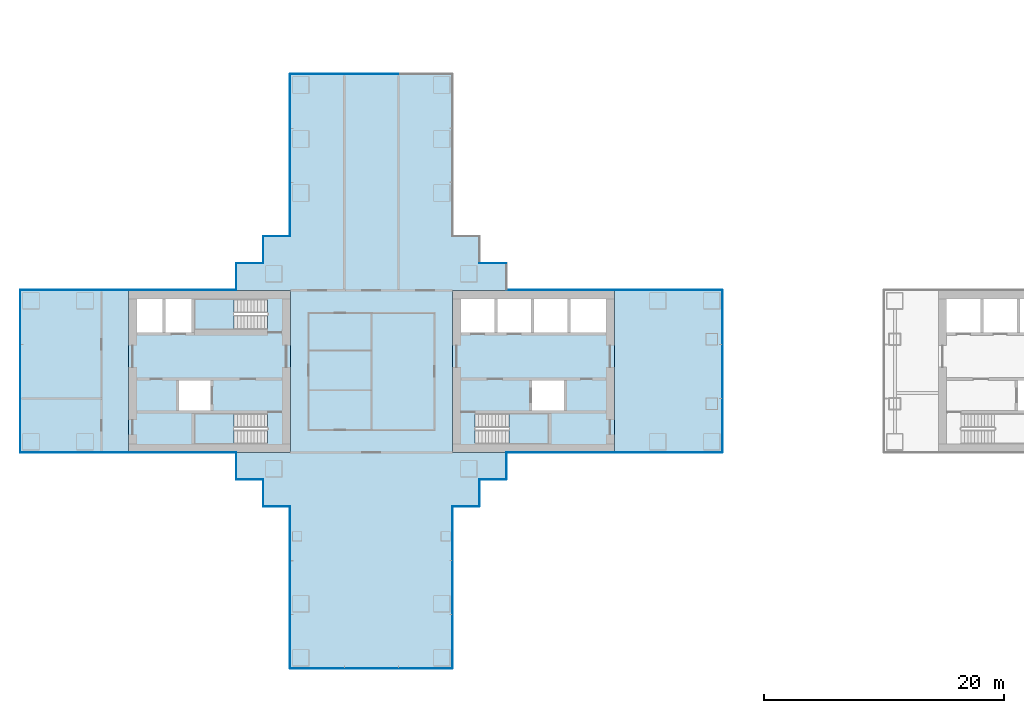
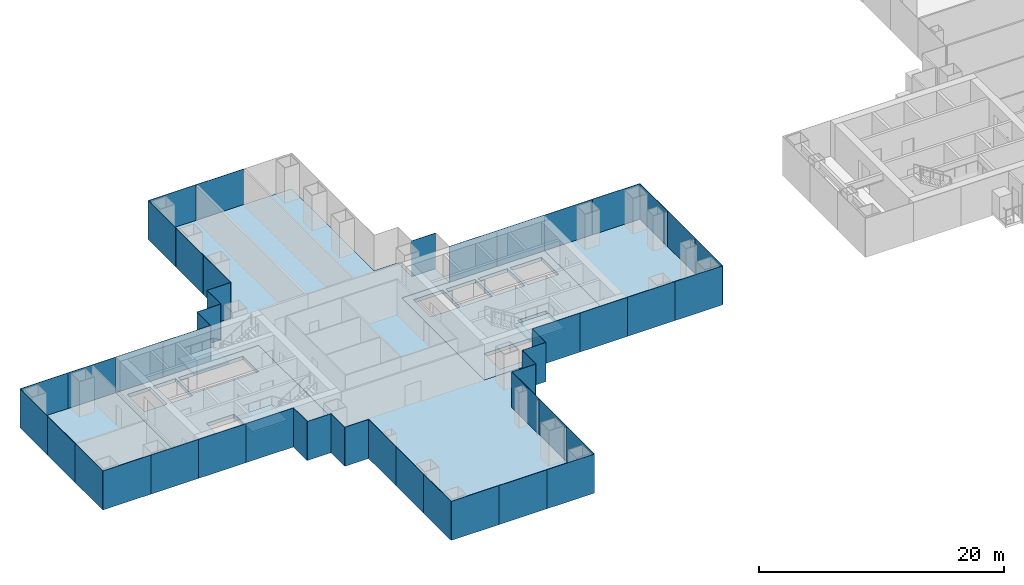
# One storey, part 10 of 21: 49 plates, 8 slabs, 22 elements without a shape of their own.
"""IFC4 building model written with IfcOpenShell, lengths in metres."""

from ifc_helpers import new_model, si_unit, direction, frame, origin, origin_2d, place, context, subcontext, project, spatial, polyline, rectangle, outline, extrude, material, layer, layer_set, type_object, element, aggregate, save


model = new_model("IFC4")

# Units and contexts
model_context = context("Model", 3, precision=1e-05, world=origin(), true_north=direction((0.0, 1.0)))
body_context = subcontext(model_context, "Body", "Model", "MODEL_VIEW")
ifc_project = project(units=[si_unit("LENGTHUNIT", "METRE"), si_unit("AREAUNIT", "SQUARE_METRE"), si_unit("VOLUMEUNIT", "CUBIC_METRE"), si_unit("PLANEANGLEUNIT", "RADIAN"), si_unit("MASSUNIT", "GRAM", prefix="KILO")], contexts=[model_context])

# Site, building, storey
site_placement = place(None, origin())
site = spatial("IfcSite", under=ifc_project, at=site_placement, CompositionType="ELEMENT")
building_placement = place(site_placement, origin())
building = spatial("IfcBuilding", under=site, at=building_placement, Name="Shamsa Quay Exchange Towers", CompositionType="ELEMENT")
storey_placement = place(building_placement, frame((0.0, 0.0, 49.800048828125)))
storey = spatial("IfcBuildingStorey", under=building, at=storey_placement, Name="L10", CompositionType="ELEMENT", Elevation=49.800048828125)

# Slabs
ifc_material_1 = material(Name="Concrete C50/60", Category="concrete")
ifc_layer_1 = layer(ifc_material_1, 0.35009765625)
ifc_layer_set_1 = layer_set([ifc_layer_1], Name="CORE FLOOR 350 C50/60")
slab_type_1 = type_object("IfcSlabType", Name="CORE FLOOR 350 C50/60", PredefinedType="FLOOR", material=ifc_layer_set_1)
slab_1_placement = place(storey_placement, frame((0.0, 0.0, -0.35009765625)))
element("IfcSlab", 1, at=slab_1_placement, inside=storey, type_object=slab_type_1, Name="Core floor T1A", PredefinedType="FLOOR", context=body_context, shape_type="SweptSolid", body=[
    extrude(outline(polyline([(-27.0, -6.75), (-13.5, -6.75), (-13.5, 6.75), (-27.0, 6.75), (-27.0, -6.75)]), holes=[polyline([(-25.099365234375, -6.050048828125), (-25.099365234375, -3.5), (-19.0, -3.5), (-19.0, -6.050048828125), (-25.099365234375, -6.050048828125)]), polyline([(-26.300048828125, 3.25), (-26.300048828125, 6.050048828125), (-23.5, 6.050048828125), (-23.5, 3.25), (-26.300048828125, 3.25)]), polyline([(-23.25, 3.25), (-23.25, 6.050048828125), (-20.449951171875, 6.050048828125), (-20.449951171875, 3.25), (-23.25, 3.25)]), polyline([(-20.199951171875, 3.25), (-20.199951171875, 6.050048828125), (-17.39990234375, 6.050048828125), (-17.39990234375, 3.25), (-20.199951171875, 3.25)]), polyline([(-17.14990234375, 3.25), (-17.14990234375, 6.050048828125), (-14.199951171875, 6.050048828125), (-14.199951171875, 3.25), (-17.14990234375, 3.25)]), polyline([(-20.35009765625, -3.25), (-20.35009765625, -0.75), (-17.699951171875, -0.75), (-17.699951171875, -3.25), (-20.35009765625, -3.25)])]), origin(), (0.0, 0.0, 1.0), 0.35009765625),
])
slab_2_placement = place(storey_placement, frame((0.0, 0.0, -0.35009765625)))
element("IfcSlab", 2, at=slab_2_placement, inside=storey, type_object=slab_type_1, Name="Core floor T1B", PredefinedType="FLOOR", context=body_context, shape_type="SweptSolid", body=[
    extrude(outline(polyline([(-40.5, -6.75), (-40.5, 6.75), (-54.0, 6.75), (-54.0, -6.75), (-40.5, -6.75)]), holes=[polyline([(-42.400634765625, -3.5), (-42.400634765625, -6.050048828125), (-48.5, -6.050048828125), (-48.5, -3.5), (-42.400634765625, -3.5)]), polyline([(-42.400634765625, 6.050048828125), (-42.400634765625, 3.5), (-48.5, 3.5), (-48.5, 6.050048828125), (-42.400634765625, 6.050048828125)]), polyline([(-48.75, 3.25), (-50.89990234375, 3.25), (-50.89990234375, 6.050048828125), (-48.75, 6.050048828125), (-48.75, 3.25)]), polyline([(-51.14990234375, 3.25), (-53.300048828125, 3.25), (-53.300048828125, 6.050048828125), (-51.14990234375, 6.050048828125), (-51.14990234375, 3.25)]), polyline([(-47.14990234375, -3.25), (-49.800048828125, -3.25), (-49.800048828125, -0.75), (-47.14990234375, -0.75), (-47.14990234375, -3.25)])]), origin(), (0.0, 0.0, 1.0), 0.35009765625),
])

# Stair, slab
ifc_material_2 = material(Name="Concrete C40/50", Category="concrete")
stair_type = type_object("IfcStairType", Name="EXIT STAIR 22 RISERS 177 MM", PredefinedType="HALF_TURN_STAIR", material=ifc_material_2)
stair_1_placement = place(storey_placement, origin())
stair_1 = element("IfcStair", 3, at=stair_1_placement, inside=storey, type_object=stair_type, Name="L10 Exit stair ST1", PredefinedType="HALF_TURN_STAIR")
ifc_layer_2 = layer(ifc_material_2, 0.199951171875)
ifc_layer_set_2 = layer_set([ifc_layer_2], Name="CORE STAIR LANDING")
slab_type_2 = type_object("IfcSlabType", Name="CORE STAIR LANDING", PredefinedType="LANDING", material=ifc_layer_set_2)
slab_3_placement = place(storey_placement, frame((0.0, 0.0, 1.75)))
slab_3 = element("IfcSlab", 4, at=slab_3_placement, type_object=slab_type_2, Name="ST1 landing 1", PredefinedType="LANDING", context=body_context, shape_type="SweptSolid", body=[
    extrude(outline(polyline([(-22.300048828125, -6.050048828125), (-19.0, -6.050048828125), (-19.0, -3.5), (-22.300048828125, -3.5), (-22.300048828125, -6.050048828125)])), origin(), (0.0, 0.0, 1.0), 0.199951171875),
])
aggregate(stair_1, [slab_3])

stair_2_placement = place(storey_placement, origin())
stair_2 = element("IfcStair", 5, at=stair_2_placement, inside=storey, type_object=stair_type, Name="L10 Exit stair ST2", PredefinedType="HALF_TURN_STAIR")
slab_4_placement = place(storey_placement, frame((0.0, 0.0, 1.75)))
slab_4 = element("IfcSlab", 6, at=slab_4_placement, type_object=slab_type_2, Name="ST2 landing 1", PredefinedType="LANDING", context=body_context, shape_type="SweptSolid", body=[
    extrude(outline(polyline([(-45.199951171875, -3.5), (-48.5, -3.5), (-48.5, -6.050048828125), (-45.199951171875, -6.050048828125), (-45.199951171875, -3.5)])), origin(), (0.0, 0.0, 1.0), 0.199951171875),
])
aggregate(stair_2, [slab_4])

stair_3_placement = place(storey_placement, origin())
stair_3 = element("IfcStair", 7, at=stair_3_placement, inside=storey, type_object=stair_type, Name="L10 Exit stair ST3", PredefinedType="HALF_TURN_STAIR")
slab_5_placement = place(storey_placement, frame((0.0, 0.0, 1.75)))
slab_5 = element("IfcSlab", 8, at=slab_5_placement, type_object=slab_type_2, Name="ST3 landing 1", PredefinedType="LANDING", context=body_context, shape_type="SweptSolid", body=[
    extrude(outline(polyline([(-45.199951171875, 6.050048828125), (-48.5, 6.050048828125), (-48.5, 3.5), (-45.199951171875, 3.5), (-45.199951171875, 6.050048828125)])), origin(), (0.0, 0.0, 1.0), 0.199951171875),
])
aggregate(stair_3, [slab_5])

# Curtain wall, plates
ifc_material_3 = material(Name="Aluminium EN AW-6063 T6, black anodised", Category="aluminium")
ifc_layer_3 = layer(ifc_material_3, 0.280029296875)
ifc_layer_set_3 = layer_set([ifc_layer_3], Name="CW-1 UNITISED VISION GLASS")
curtain_wall_type_1 = type_object("IfcCurtainWallType", Name="CW-1 UNITISED VISION GLASS", PredefinedType="NOTDEFINED", material=ifc_layer_set_3)
curtain_wall_1_placement = place(storey_placement, origin())
curtain_wall_1 = element("IfcCurtainWall", 9, at=curtain_wall_1_placement, inside=storey, type_object=curtain_wall_type_1, Name="CW1 T1-FLK-V-W L10", PredefinedType="NOTDEFINED")
ifc_material_4 = material(Name="Glass, laminated, dark tinted", Category="glass")
ifc_layer_4 = layer(ifc_material_4, 0.0400390625)
ifc_layer_set_4 = layer_set([ifc_layer_4], Name="CW-1 VISION GLASS 40")
plate_type_1 = type_object("IfcPlateType", Name="CW-1 VISION GLASS 40", PredefinedType="CURTAIN_PANEL", material=ifc_layer_set_4)
plate_1_placement = place(storey_placement, frame((-40.52001953125, -13.529052734375, -0.35009765625), z_axis=(0.0, 0.0, 1.0), x_axis=(0.0, -1.0, 0.0)))
plate_1 = element("IfcPlate", 10, at=plate_1_placement, type_object=plate_type_1, Name="CW1 glass panel", PredefinedType="CURTAIN_PANEL", context=body_context, shape_type="SweptSolid", body=[
    extrude(rectangle(XDim=4.482421875, YDim=0.0400390625, at=origin_2d()), origin(), (0.0, 0.0, 1.0), 3.89990234375),
])
plate_2_placement = place(storey_placement, frame((-40.52001953125, -18.01904296875, -0.35009765625), z_axis=(0.0, 0.0, 1.0), x_axis=(0.0, -1.0, 0.0)))
plate_2 = element("IfcPlate", 11, at=plate_2_placement, type_object=plate_type_1, Name="CW1 glass panel", PredefinedType="CURTAIN_PANEL", context=body_context, shape_type="SweptSolid", body=[
    extrude(rectangle(XDim=4.477294921875, YDim=0.0400390625, at=origin_2d()), origin(), (0.0, 0.0, 1.0), 3.89990234375),
])
plate_3_placement = place(storey_placement, frame((-40.52001953125, -22.5087890625, -0.35009765625), z_axis=(0.0, 0.0, 1.0), x_axis=(0.0, -1.0, 0.0)))
plate_3 = element("IfcPlate", 12, at=plate_3_placement, type_object=plate_type_1, Name="CW1 glass panel", PredefinedType="CURTAIN_PANEL", context=body_context, shape_type="SweptSolid", body=[
    extrude(rectangle(XDim=4.482421875, YDim=0.0400390625, at=origin_2d()), origin(), (0.0, 0.0, 1.0), 3.89990234375),
])
aggregate(curtain_wall_1, [plate_1, plate_2, plate_3])

curtain_wall_2_placement = place(storey_placement, origin())
curtain_wall_2 = element("IfcCurtainWall", 13, at=curtain_wall_2_placement, inside=storey, type_object=curtain_wall_type_1, Name="CW1 T1-END-V- L10", PredefinedType="NOTDEFINED")
plate_4_placement = place(storey_placement, frame((-38.25244140625, -24.77001953125, -0.35009765625)))
plate_4 = element("IfcPlate", 14, at=plate_4_placement, type_object=plate_type_1, Name="CW1 glass panel", PredefinedType="CURTAIN_PANEL", context=body_context, shape_type="SweptSolid", body=[
    extrude(rectangle(XDim=4.4951171875, YDim=0.0400390625, at=origin_2d()), origin(), (0.0, 0.0, 1.0), 3.89990234375),
])
plate_5_placement = place(storey_placement, frame((-33.75, -24.77001953125, -0.35009765625)))
plate_5 = element("IfcPlate", 15, at=plate_5_placement, type_object=plate_type_1, Name="CW1 glass panel", PredefinedType="CURTAIN_PANEL", context=body_context, shape_type="SweptSolid", body=[
    extrude(rectangle(XDim=4.489990234375, YDim=0.0400390625, at=origin_2d()), origin(), (0.0, 0.0, 1.0), 3.89990234375),
])
plate_6_placement = place(storey_placement, frame((-29.24755859375, -24.77001953125, -0.35009765625)))
plate_6 = element("IfcPlate", 16, at=plate_6_placement, type_object=plate_type_1, Name="CW1 glass panel", PredefinedType="CURTAIN_PANEL", context=body_context, shape_type="SweptSolid", body=[
    extrude(rectangle(XDim=4.4951171875, YDim=0.0400390625, at=origin_2d()), origin(), (0.0, 0.0, 1.0), 3.89990234375),
])
aggregate(curtain_wall_2, [plate_4, plate_5, plate_6])

curtain_wall_3_placement = place(storey_placement, origin())
curtain_wall_3 = element("IfcCurtainWall", 17, at=curtain_wall_3_placement, inside=storey, type_object=curtain_wall_type_1, Name="CW1 T1-FLK-V-E L10", PredefinedType="NOTDEFINED")
plate_7_placement = place(storey_placement, frame((-26.97998046875, -22.50244140625, -0.35009765625), z_axis=(0.0, 0.0, 1.0), x_axis=(0.0, 1.0, 0.0)))
plate_7 = element("IfcPlate", 18, at=plate_7_placement, type_object=plate_type_1, Name="CW1 glass panel", PredefinedType="CURTAIN_PANEL", context=body_context, shape_type="SweptSolid", body=[
    extrude(rectangle(XDim=4.4951171875, YDim=0.0400390625, at=origin_2d()), origin(), (0.0, 0.0, 1.0), 3.89990234375),
])
plate_8_placement = place(storey_placement, frame((-26.97998046875, -18.0, -0.35009765625), z_axis=(0.0, 0.0, 1.0), x_axis=(0.0, 1.0, 0.0)))
plate_8 = element("IfcPlate", 19, at=plate_8_placement, type_object=plate_type_1, Name="CW1 glass panel", PredefinedType="CURTAIN_PANEL", context=body_context, shape_type="SweptSolid", body=[
    extrude(rectangle(XDim=4.489990234375, YDim=0.0400390625, at=origin_2d()), origin(), (0.0, 0.0, 1.0), 3.89990234375),
])
plate_9_placement = place(storey_placement, frame((-26.97998046875, -13.49755859375, -0.35009765625), z_axis=(0.0, 0.0, 1.0), x_axis=(0.0, 1.0, 0.0)))
plate_9 = element("IfcPlate", 20, at=plate_9_placement, type_object=plate_type_1, Name="CW1 glass panel", PredefinedType="CURTAIN_PANEL", context=body_context, shape_type="SweptSolid", body=[
    extrude(rectangle(XDim=4.4951171875, YDim=0.0400390625, at=origin_2d()), origin(), (0.0, 0.0, 1.0), 3.89990234375),
])
aggregate(curtain_wall_3, [plate_7, plate_8, plate_9])

curtain_wall_4_placement = place(storey_placement, origin())
curtain_wall_4 = element("IfcCurtainWall", 21, at=curtain_wall_4_placement, inside=storey, type_object=curtain_wall_type_1, Name="CW1 T1-FLK-U+S L10", PredefinedType="NOTDEFINED")
plate_10_placement = place(storey_placement, frame((-11.25244140625, -6.77001953125, -0.35009765625)))
plate_10 = element("IfcPlate", 22, at=plate_10_placement, type_object=plate_type_1, Name="CW1 glass panel", PredefinedType="CURTAIN_PANEL", context=body_context, shape_type="SweptSolid", body=[
    extrude(rectangle(XDim=4.4951171875, YDim=0.0400390625, at=origin_2d()), origin(), (0.0, 0.0, 1.0), 3.89990234375),
])
plate_11_placement = place(storey_placement, frame((-6.74755859375, -6.77001953125, -0.35009765625)))
plate_11 = element("IfcPlate", 23, at=plate_11_placement, type_object=plate_type_1, Name="CW1 glass panel", PredefinedType="CURTAIN_PANEL", context=body_context, shape_type="SweptSolid", body=[
    extrude(rectangle(XDim=4.4951171875, YDim=0.0400390625, at=origin_2d()), origin(), (0.0, 0.0, 1.0), 3.89990234375),
])
aggregate(curtain_wall_4, [plate_10, plate_11])

curtain_wall_5_placement = place(storey_placement, origin())
curtain_wall_5 = element("IfcCurtainWall", 24, at=curtain_wall_5_placement, inside=storey, type_object=curtain_wall_type_1, Name="CW1 T1-END-U+ L10", PredefinedType="NOTDEFINED")
plate_12_placement = place(storey_placement, frame((-4.47998046875, -4.50244140625, -0.35009765625), z_axis=(0.0, 0.0, 1.0), x_axis=(0.0, 1.0, 0.0)))
plate_12 = element("IfcPlate", 25, at=plate_12_placement, type_object=plate_type_1, Name="CW1 glass panel", PredefinedType="CURTAIN_PANEL", context=body_context, shape_type="SweptSolid", body=[
    extrude(rectangle(XDim=4.4951171875, YDim=0.0400390625, at=origin_2d()), origin(), (0.0, 0.0, 1.0), 3.89990234375),
])
plate_13_placement = place(storey_placement, frame((-4.47998046875, 0.0, -0.35009765625), z_axis=(0.0, 0.0, 1.0), x_axis=(0.0, 1.0, 0.0)))
plate_13 = element("IfcPlate", 26, at=plate_13_placement, type_object=plate_type_1, Name="CW1 glass panel", PredefinedType="CURTAIN_PANEL", context=body_context, shape_type="SweptSolid", body=[
    extrude(rectangle(XDim=4.489990234375, YDim=0.0400390625, at=origin_2d()), origin(), (0.0, 0.0, 1.0), 3.89990234375),
])
plate_14_placement = place(storey_placement, frame((-4.47998046875, 4.50244140625, -0.35009765625), z_axis=(0.0, 0.0, 1.0), x_axis=(0.0, 1.0, 0.0)))
plate_14 = element("IfcPlate", 27, at=plate_14_placement, type_object=plate_type_1, Name="CW1 glass panel", PredefinedType="CURTAIN_PANEL", context=body_context, shape_type="SweptSolid", body=[
    extrude(rectangle(XDim=4.4951171875, YDim=0.0400390625, at=origin_2d()), origin(), (0.0, 0.0, 1.0), 3.89990234375),
])
aggregate(curtain_wall_5, [plate_12, plate_13, plate_14])

curtain_wall_6_placement = place(storey_placement, origin())
curtain_wall_6 = element("IfcCurtainWall", 28, at=curtain_wall_6_placement, inside=storey, type_object=curtain_wall_type_1, Name="CW1 T1-FLK-U+N L10", PredefinedType="NOTDEFINED")
plate_15_placement = place(storey_placement, frame((-6.74755859375, 6.77001953125, -0.35009765625), z_axis=(0.0, 0.0, 1.0), x_axis=(-1.0, 0.0, 0.0)))
plate_15 = element("IfcPlate", 29, at=plate_15_placement, type_object=plate_type_1, Name="CW1 glass panel", PredefinedType="CURTAIN_PANEL", context=body_context, shape_type="SweptSolid", body=[
    extrude(rectangle(XDim=4.4951171875, YDim=0.0400390625, at=origin_2d()), origin(), (0.0, 0.0, 1.0), 3.89990234375),
])
plate_16_placement = place(storey_placement, frame((-11.25244140625, 6.77001953125, -0.35009765625), z_axis=(0.0, 0.0, 1.0), x_axis=(-1.0, 0.0, 0.0)))
plate_16 = element("IfcPlate", 30, at=plate_16_placement, type_object=plate_type_1, Name="CW1 glass panel", PredefinedType="CURTAIN_PANEL", context=body_context, shape_type="SweptSolid", body=[
    extrude(rectangle(XDim=4.4951171875, YDim=0.0400390625, at=origin_2d()), origin(), (0.0, 0.0, 1.0), 3.89990234375),
])
aggregate(curtain_wall_6, [plate_15, plate_16])

curtain_wall_7_placement = place(storey_placement, origin())
curtain_wall_7 = element("IfcCurtainWall", 31, at=curtain_wall_7_placement, inside=storey, type_object=curtain_wall_type_1, Name="CW1 T1-END-V+ L10", PredefinedType="NOTDEFINED")
plate_17_placement = place(storey_placement, frame((-33.75, 24.77001953125, -0.35009765625), z_axis=(0.0, 0.0, 1.0), x_axis=(-1.0, 0.0, 0.0)))
plate_17 = element("IfcPlate", 32, at=plate_17_placement, type_object=plate_type_1, Name="CW1 glass panel", PredefinedType="CURTAIN_PANEL", context=body_context, shape_type="SweptSolid", body=[
    extrude(rectangle(XDim=4.489990234375, YDim=0.0400390625, at=origin_2d()), origin(), (0.0, 0.0, 1.0), 3.89990234375),
])
plate_18_placement = place(storey_placement, frame((-38.25244140625, 24.77001953125, -0.35009765625), z_axis=(0.0, 0.0, 1.0), x_axis=(-1.0, 0.0, 0.0)))
plate_18 = element("IfcPlate", 33, at=plate_18_placement, type_object=plate_type_1, Name="CW1 glass panel", PredefinedType="CURTAIN_PANEL", context=body_context, shape_type="SweptSolid", body=[
    extrude(rectangle(XDim=4.4951171875, YDim=0.0400390625, at=origin_2d()), origin(), (0.0, 0.0, 1.0), 3.89990234375),
])
aggregate(curtain_wall_7, [plate_17, plate_18])

curtain_wall_8_placement = place(storey_placement, origin())
curtain_wall_8 = element("IfcCurtainWall", 34, at=curtain_wall_8_placement, inside=storey, type_object=curtain_wall_type_1, Name="CW1 T1-FLK-V+W L10", PredefinedType="NOTDEFINED")
plate_19_placement = place(storey_placement, frame((-40.52001953125, 22.50244140625, -0.35009765625), z_axis=(0.0, 0.0, 1.0), x_axis=(0.0, -1.0, 0.0)))
plate_19 = element("IfcPlate", 35, at=plate_19_placement, type_object=plate_type_1, Name="CW1 glass panel", PredefinedType="CURTAIN_PANEL", context=body_context, shape_type="SweptSolid", body=[
    extrude(rectangle(XDim=4.4951171875, YDim=0.0400390625, at=origin_2d()), origin(), (0.0, 0.0, 1.0), 3.89990234375),
])
plate_20_placement = place(storey_placement, frame((-40.52001953125, 18.0, -0.35009765625), z_axis=(0.0, 0.0, 1.0), x_axis=(0.0, -1.0, 0.0)))
plate_20 = element("IfcPlate", 36, at=plate_20_placement, type_object=plate_type_1, Name="CW1 glass panel", PredefinedType="CURTAIN_PANEL", context=body_context, shape_type="SweptSolid", body=[
    extrude(rectangle(XDim=4.489990234375, YDim=0.0400390625, at=origin_2d()), origin(), (0.0, 0.0, 1.0), 3.89990234375),
])
plate_21_placement = place(storey_placement, frame((-40.52001953125, 13.49755859375, -0.35009765625), z_axis=(0.0, 0.0, 1.0), x_axis=(0.0, -1.0, 0.0)))
plate_21 = element("IfcPlate", 37, at=plate_21_placement, type_object=plate_type_1, Name="CW1 glass panel", PredefinedType="CURTAIN_PANEL", context=body_context, shape_type="SweptSolid", body=[
    extrude(rectangle(XDim=4.4951171875, YDim=0.0400390625, at=origin_2d()), origin(), (0.0, 0.0, 1.0), 3.89990234375),
])
aggregate(curtain_wall_8, [plate_19, plate_20, plate_21])

curtain_wall_9_placement = place(storey_placement, origin())
curtain_wall_9 = element("IfcCurtainWall", 38, at=curtain_wall_9_placement, inside=storey, type_object=curtain_wall_type_1, Name="CW1 T1-FLK-U-N L10", PredefinedType="NOTDEFINED")
plate_22_placement = place(storey_placement, frame((-56.24755859375, 6.77001953125, -0.35009765625), z_axis=(0.0, 0.0, 1.0), x_axis=(-1.0, 0.0, 0.0)))
plate_22 = element("IfcPlate", 39, at=plate_22_placement, type_object=plate_type_1, Name="CW1 glass panel", PredefinedType="CURTAIN_PANEL", context=body_context, shape_type="SweptSolid", body=[
    extrude(rectangle(XDim=4.4951171875, YDim=0.0400390625, at=origin_2d()), origin(), (0.0, 0.0, 1.0), 3.89990234375),
])
plate_23_placement = place(storey_placement, frame((-60.75244140625, 6.77001953125, -0.35009765625), z_axis=(0.0, 0.0, 1.0), x_axis=(-1.0, 0.0, 0.0)))
plate_23 = element("IfcPlate", 40, at=plate_23_placement, type_object=plate_type_1, Name="CW1 glass panel", PredefinedType="CURTAIN_PANEL", context=body_context, shape_type="SweptSolid", body=[
    extrude(rectangle(XDim=4.4951171875, YDim=0.0400390625, at=origin_2d()), origin(), (0.0, 0.0, 1.0), 3.89990234375),
])
aggregate(curtain_wall_9, [plate_22, plate_23])

curtain_wall_10_placement = place(storey_placement, origin())
curtain_wall_10 = element("IfcCurtainWall", 41, at=curtain_wall_10_placement, inside=storey, type_object=curtain_wall_type_1, Name="CW1 T1-END-U- L10", PredefinedType="NOTDEFINED")
plate_24_placement = place(storey_placement, frame((-63.02001953125, 4.50244140625, -0.35009765625), z_axis=(0.0, 0.0, 1.0), x_axis=(0.0, -1.0, 0.0)))
plate_24 = element("IfcPlate", 42, at=plate_24_placement, type_object=plate_type_1, Name="CW1 glass panel", PredefinedType="CURTAIN_PANEL", context=body_context, shape_type="SweptSolid", body=[
    extrude(rectangle(XDim=4.4951171875, YDim=0.0400390625, at=origin_2d()), origin(), (0.0, 0.0, 1.0), 3.89990234375),
])
plate_25_placement = place(storey_placement, frame((-63.02001953125, 0.0, -0.35009765625), z_axis=(0.0, 0.0, 1.0), x_axis=(0.0, -1.0, 0.0)))
plate_25 = element("IfcPlate", 43, at=plate_25_placement, type_object=plate_type_1, Name="CW1 glass panel", PredefinedType="CURTAIN_PANEL", context=body_context, shape_type="SweptSolid", body=[
    extrude(rectangle(XDim=4.489990234375, YDim=0.0400390625, at=origin_2d()), origin(), (0.0, 0.0, 1.0), 3.89990234375),
])
plate_26_placement = place(storey_placement, frame((-63.02001953125, -4.50244140625, -0.35009765625), z_axis=(0.0, 0.0, 1.0), x_axis=(0.0, -1.0, 0.0)))
plate_26 = element("IfcPlate", 44, at=plate_26_placement, type_object=plate_type_1, Name="CW1 glass panel", PredefinedType="CURTAIN_PANEL", context=body_context, shape_type="SweptSolid", body=[
    extrude(rectangle(XDim=4.4951171875, YDim=0.0400390625, at=origin_2d()), origin(), (0.0, 0.0, 1.0), 3.89990234375),
])
aggregate(curtain_wall_10, [plate_24, plate_25, plate_26])

curtain_wall_11_placement = place(storey_placement, origin())
curtain_wall_11 = element("IfcCurtainWall", 45, at=curtain_wall_11_placement, inside=storey, type_object=curtain_wall_type_1, Name="CW1 T1-FLK-U-S L10", PredefinedType="NOTDEFINED")
plate_27_placement = place(storey_placement, frame((-60.75244140625, -6.77001953125, -0.35009765625)))
plate_27 = element("IfcPlate", 46, at=plate_27_placement, type_object=plate_type_1, Name="CW1 glass panel", PredefinedType="CURTAIN_PANEL", context=body_context, shape_type="SweptSolid", body=[
    extrude(rectangle(XDim=4.4951171875, YDim=0.0400390625, at=origin_2d()), origin(), (0.0, 0.0, 1.0), 3.89990234375),
])
plate_28_placement = place(storey_placement, frame((-56.24755859375, -6.77001953125, -0.35009765625)))
plate_28 = element("IfcPlate", 47, at=plate_28_placement, type_object=plate_type_1, Name="CW1 glass panel", PredefinedType="CURTAIN_PANEL", context=body_context, shape_type="SweptSolid", body=[
    extrude(rectangle(XDim=4.4951171875, YDim=0.0400390625, at=origin_2d()), origin(), (0.0, 0.0, 1.0), 3.89990234375),
])
aggregate(curtain_wall_11, [plate_27, plate_28])

ifc_layer_5 = layer(ifc_material_3, 0.303955078125)
ifc_layer_set_5 = layer_set([ifc_layer_5], Name="CW-2 UNITISED OPAQUE SPANDREL GLASS")
curtain_wall_type_2 = type_object("IfcCurtainWallType", Name="CW-2 UNITISED OPAQUE SPANDREL GLASS", PredefinedType="NOTDEFINED", material=ifc_layer_set_5)
curtain_wall_12_placement = place(storey_placement, origin())
curtain_wall_12 = element("IfcCurtainWall", 48, at=curtain_wall_12_placement, inside=storey, type_object=curtain_wall_type_2, Name="CW2 T1-FLK-U+S L10", PredefinedType="NOTDEFINED")
ifc_material_5 = material(Name="Glass, laminated, black enamelled opaque", Category="glass")
ifc_layer_6 = layer(ifc_material_5, 0.0439453125)
ifc_layer_set_6 = layer_set([ifc_layer_6], Name="CW-2 SPANDREL GLASS 44")
plate_type_2 = type_object("IfcPlateType", Name="CW-2 SPANDREL GLASS 44", PredefinedType="CURTAIN_PANEL", material=ifc_layer_set_6)
plate_29_placement = place(storey_placement, frame((-20.22412109375, -6.77197265625, -0.35009765625)))
plate_29 = element("IfcPlate", 49, at=plate_29_placement, type_object=plate_type_2, Name="CW2 glass panel", PredefinedType="CURTAIN_PANEL", context=body_context, shape_type="SweptSolid", body=[
    extrude(rectangle(XDim=4.47607421875, YDim=0.0439453125, at=origin_2d()), origin(), (0.0, 0.0, 1.0), 3.89990234375),
])
plate_30_placement = place(storey_placement, frame((-15.738037109375, -6.77197265625, -0.35009765625)))
plate_30 = element("IfcPlate", 50, at=plate_30_placement, type_object=plate_type_2, Name="CW2 glass panel", PredefinedType="CURTAIN_PANEL", context=body_context, shape_type="SweptSolid", body=[
    extrude(rectangle(XDim=4.47607421875, YDim=0.0439453125, at=origin_2d()), origin(), (0.0, 0.0, 1.0), 3.89990234375),
])
aggregate(curtain_wall_12, [plate_29, plate_30])

curtain_wall_13_placement = place(storey_placement, origin())
curtain_wall_13 = element("IfcCurtainWall", 51, at=curtain_wall_13_placement, inside=storey, type_object=curtain_wall_type_2, Name="CW2 T1-FLK-U+N L10", PredefinedType="NOTDEFINED")
plate_31_placement = place(storey_placement, frame((-15.74755859375, 6.77197265625, -0.35009765625), z_axis=(0.0, 0.0, 1.0), x_axis=(-1.0, 0.0, 0.0)))
plate_31 = element("IfcPlate", 52, at=plate_31_placement, type_object=plate_type_2, Name="CW2 glass panel", PredefinedType="CURTAIN_PANEL", context=body_context, shape_type="SweptSolid", body=[
    extrude(rectangle(XDim=4.4951171875, YDim=0.0439453125, at=origin_2d()), origin(), (0.0, 0.0, 1.0), 3.89990234375),
])
plate_32_placement = place(storey_placement, frame((-20.25244140625, 6.77197265625, -0.35009765625), z_axis=(0.0, 0.0, 1.0), x_axis=(-1.0, 0.0, 0.0)))
plate_32 = element("IfcPlate", 53, at=plate_32_placement, type_object=plate_type_2, Name="CW2 glass panel", PredefinedType="CURTAIN_PANEL", context=body_context, shape_type="SweptSolid", body=[
    extrude(rectangle(XDim=4.4951171875, YDim=0.0439453125, at=origin_2d()), origin(), (0.0, 0.0, 1.0), 3.89990234375),
])
aggregate(curtain_wall_13, [plate_31, plate_32])

curtain_wall_14_placement = place(storey_placement, origin())
curtain_wall_14 = element("IfcCurtainWall", 54, at=curtain_wall_14_placement, inside=storey, type_object=curtain_wall_type_2, Name="CW2 T1-FLK-U-N L10", PredefinedType="NOTDEFINED")
plate_33_placement = place(storey_placement, frame((-47.27587890625, 6.77197265625, -0.35009765625), z_axis=(0.0, 0.0, 1.0), x_axis=(-1.0, 0.0, 0.0)))
plate_33 = element("IfcPlate", 55, at=plate_33_placement, type_object=plate_type_2, Name="CW2 glass panel", PredefinedType="CURTAIN_PANEL", context=body_context, shape_type="SweptSolid", body=[
    extrude(rectangle(XDim=4.47607421875, YDim=0.0439453125, at=origin_2d()), origin(), (0.0, 0.0, 1.0), 3.89990234375),
])
plate_34_placement = place(storey_placement, frame((-51.761962890625, 6.77197265625, -0.35009765625), z_axis=(0.0, 0.0, 1.0), x_axis=(-1.0, 0.0, 0.0)))
plate_34 = element("IfcPlate", 56, at=plate_34_placement, type_object=plate_type_2, Name="CW2 glass panel", PredefinedType="CURTAIN_PANEL", context=body_context, shape_type="SweptSolid", body=[
    extrude(rectangle(XDim=4.47607421875, YDim=0.0439453125, at=origin_2d()), origin(), (0.0, 0.0, 1.0), 3.89990234375),
])
aggregate(curtain_wall_14, [plate_33, plate_34])

curtain_wall_15_placement = place(storey_placement, origin())
curtain_wall_15 = element("IfcCurtainWall", 57, at=curtain_wall_15_placement, inside=storey, type_object=curtain_wall_type_2, Name="CW2 T1-FLK-U-S L10", PredefinedType="NOTDEFINED")
plate_35_placement = place(storey_placement, frame((-51.75244140625, -6.77197265625, -0.35009765625)))
plate_35 = element("IfcPlate", 58, at=plate_35_placement, type_object=plate_type_2, Name="CW2 glass panel", PredefinedType="CURTAIN_PANEL", context=body_context, shape_type="SweptSolid", body=[
    extrude(rectangle(XDim=4.4951171875, YDim=0.0439453125, at=origin_2d()), origin(), (0.0, 0.0, 1.0), 3.89990234375),
])
plate_36_placement = place(storey_placement, frame((-47.24755859375, -6.77197265625, -0.35009765625)))
plate_36 = element("IfcPlate", 59, at=plate_36_placement, type_object=plate_type_2, Name="CW2 glass panel", PredefinedType="CURTAIN_PANEL", context=body_context, shape_type="SweptSolid", body=[
    extrude(rectangle(XDim=4.4951171875, YDim=0.0439453125, at=origin_2d()), origin(), (0.0, 0.0, 1.0), 3.89990234375),
])
aggregate(curtain_wall_15, [plate_35, plate_36])

ifc_layer_7 = layer(ifc_material_3, 0.256103515625)
ifc_layer_set_7 = layer_set([ifc_layer_7], Name="CW-4 POCKET SERRATED GLAZING")
curtain_wall_type_3 = type_object("IfcCurtainWallType", Name="CW-4 POCKET SERRATED GLAZING", PredefinedType="NOTDEFINED", material=ifc_layer_set_7)
curtain_wall_16_placement = place(storey_placement, origin())
curtain_wall_16 = element("IfcCurtainWall", 60, at=curtain_wall_16_placement, inside=storey, type_object=curtain_wall_type_3, Name="CW4 PKWS L10", PredefinedType="NOTDEFINED")
ifc_layer_8 = layer(ifc_material_4, 0.035888671875)
ifc_layer_set_8 = layer_set([ifc_layer_8], Name="CW-4 POCKET GLASS 36")
plate_type_3 = type_object("IfcPlateType", Name="CW-4 POCKET GLASS 36", PredefinedType="CURTAIN_PANEL", material=ifc_layer_set_8)
plate_37_placement = place(storey_placement, frame((-42.76806640625, -10.14404296875, -0.35009765625), z_axis=(0.0, 0.0, 1.0), x_axis=(0.0, -1.0, 0.0)))
plate_37 = element("IfcPlate", 61, at=plate_37_placement, type_object=plate_type_3, Name="CW4 glass panel", PredefinedType="CURTAIN_PANEL", context=body_context, shape_type="SweptSolid", body=[
    extrude(rectangle(XDim=2.2119140625, YDim=0.035888671875, at=origin_2d()), origin(), (0.0, 0.0, 1.0), 3.89990234375),
])
plate_38_placement = place(storey_placement, frame((-41.625, -11.26806640625, -0.35009765625)))
plate_38 = element("IfcPlate", 62, at=plate_38_placement, type_object=plate_type_3, Name="CW4 glass panel", PredefinedType="CURTAIN_PANEL", context=body_context, shape_type="SweptSolid", body=[
    extrude(rectangle(XDim=2.25, YDim=0.035888671875, at=origin_2d()), origin(), (0.0, 0.0, 1.0), 3.89990234375),
])
plate_39_placement = place(storey_placement, frame((-45.01806640625, -7.89794921875, -0.35009765625), z_axis=(0.0, 0.0, 1.0), x_axis=(0.0, -1.0, 0.0)))
plate_39 = element("IfcPlate", 63, at=plate_39_placement, type_object=plate_type_3, Name="CW4 glass panel", PredefinedType="CURTAIN_PANEL", context=body_context, shape_type="SweptSolid", body=[
    extrude(rectangle(XDim=2.2041015625, YDim=0.035888671875, at=origin_2d()), origin(), (0.0, 0.0, 1.0), 3.89990234375),
])
plate_40_placement = place(storey_placement, frame((-43.875, -9.01806640625, -0.35009765625)))
plate_40 = element("IfcPlate", 64, at=plate_40_placement, type_object=plate_type_3, Name="CW4 glass panel", PredefinedType="CURTAIN_PANEL", context=body_context, shape_type="SweptSolid", body=[
    extrude(rectangle(XDim=2.25, YDim=0.035888671875, at=origin_2d()), origin(), (0.0, 0.0, 1.0), 3.89990234375),
])
aggregate(curtain_wall_16, [plate_37, plate_38, plate_39, plate_40])

curtain_wall_17_placement = place(storey_placement, origin())
curtain_wall_17 = element("IfcCurtainWall", 65, at=curtain_wall_17_placement, inside=storey, type_object=curtain_wall_type_3, Name="CW4 PKES L10", PredefinedType="NOTDEFINED")
plate_41_placement = place(storey_placement, frame((-25.85400390625, -11.26806640625, -0.35009765625)))
plate_41 = element("IfcPlate", 66, at=plate_41_placement, type_object=plate_type_3, Name="CW4 glass panel", PredefinedType="CURTAIN_PANEL", context=body_context, shape_type="SweptSolid", body=[
    extrude(rectangle(XDim=2.2080078125, YDim=0.035888671875, at=origin_2d()), origin(), (0.0, 0.0, 1.0), 3.89990234375),
])
plate_42_placement = place(storey_placement, frame((-24.73193359375, -10.125, -0.35009765625), z_axis=(0.0, 0.0, 1.0), x_axis=(0.0, 1.0, 0.0)))
plate_42 = element("IfcPlate", 67, at=plate_42_placement, type_object=plate_type_3, Name="CW4 glass panel", PredefinedType="CURTAIN_PANEL", context=body_context, shape_type="SweptSolid", body=[
    extrude(rectangle(XDim=2.25, YDim=0.035888671875, at=origin_2d()), origin(), (0.0, 0.0, 1.0), 3.89990234375),
])
plate_43_placement = place(storey_placement, frame((-23.60595703125, -9.01806640625, -0.35009765625)))
plate_43 = element("IfcPlate", 68, at=plate_43_placement, type_object=plate_type_3, Name="CW4 glass panel", PredefinedType="CURTAIN_PANEL", context=body_context, shape_type="SweptSolid", body=[
    extrude(rectangle(XDim=2.2119140625, YDim=0.035888671875, at=origin_2d()), origin(), (0.0, 0.0, 1.0), 3.89990234375),
])
plate_44_placement = place(storey_placement, frame((-22.48193359375, -7.875, -0.35009765625), z_axis=(0.0, 0.0, 1.0), x_axis=(0.0, 1.0, 0.0)))
plate_44 = element("IfcPlate", 69, at=plate_44_placement, type_object=plate_type_3, Name="CW4 glass panel", PredefinedType="CURTAIN_PANEL", context=body_context, shape_type="SweptSolid", body=[
    extrude(rectangle(XDim=2.25, YDim=0.035888671875, at=origin_2d()), origin(), (0.0, 0.0, 1.0), 3.89990234375),
])
aggregate(curtain_wall_17, [plate_41, plate_42, plate_43, plate_44])

# Curtain wall, plate
curtain_wall_18_placement = place(storey_placement, origin())
curtain_wall_18 = element("IfcCurtainWall", 70, at=curtain_wall_18_placement, inside=storey, type_object=curtain_wall_type_3, Name="CW4 PKEN L10", PredefinedType="NOTDEFINED")
plate_45_placement = place(storey_placement, frame((-23.625, 9.01806640625, -0.35009765625), z_axis=(0.0, 0.0, 1.0), x_axis=(-1.0, 0.0, 0.0)))
plate_45 = element("IfcPlate", 71, at=plate_45_placement, type_object=plate_type_3, Name="CW4 glass panel", PredefinedType="CURTAIN_PANEL", context=body_context, shape_type="SweptSolid", body=[
    extrude(rectangle(XDim=2.25, YDim=0.035888671875, at=origin_2d()), origin(), (0.0, 0.0, 1.0), 3.89990234375),
])
aggregate(curtain_wall_18, [plate_45])

# Curtain wall, plates
curtain_wall_19_placement = place(storey_placement, origin())
curtain_wall_19 = element("IfcCurtainWall", 72, at=curtain_wall_19_placement, inside=storey, type_object=curtain_wall_type_3, Name="CW4 PKWN L10", PredefinedType="NOTDEFINED")
plate_46_placement = place(storey_placement, frame((-41.64599609375, 11.26806640625, -0.35009765625), z_axis=(0.0, 0.0, 1.0), x_axis=(-1.0, 0.0, 0.0)))
plate_46 = element("IfcPlate", 73, at=plate_46_placement, type_object=plate_type_3, Name="CW4 glass panel", PredefinedType="CURTAIN_PANEL", context=body_context, shape_type="SweptSolid", body=[
    extrude(rectangle(XDim=2.2080078125, YDim=0.035888671875, at=origin_2d()), origin(), (0.0, 0.0, 1.0), 3.89990234375),
])
plate_47_placement = place(storey_placement, frame((-42.76806640625, 10.125, -0.35009765625), z_axis=(0.0, 0.0, 1.0), x_axis=(0.0, -1.0, 0.0)))
plate_47 = element("IfcPlate", 74, at=plate_47_placement, type_object=plate_type_3, Name="CW4 glass panel", PredefinedType="CURTAIN_PANEL", context=body_context, shape_type="SweptSolid", body=[
    extrude(rectangle(XDim=2.25, YDim=0.035888671875, at=origin_2d()), origin(), (0.0, 0.0, 1.0), 3.89990234375),
])
plate_48_placement = place(storey_placement, frame((-43.89404296875, 9.01806640625, -0.35009765625), z_axis=(0.0, 0.0, 1.0), x_axis=(-1.0, 0.0, 0.0)))
plate_48 = element("IfcPlate", 75, at=plate_48_placement, type_object=plate_type_3, Name="CW4 glass panel", PredefinedType="CURTAIN_PANEL", context=body_context, shape_type="SweptSolid", body=[
    extrude(rectangle(XDim=2.2119140625, YDim=0.035888671875, at=origin_2d()), origin(), (0.0, 0.0, 1.0), 3.89990234375),
])
plate_49_placement = place(storey_placement, frame((-45.01806640625, 7.875, -0.35009765625), z_axis=(0.0, 0.0, 1.0), x_axis=(0.0, -1.0, 0.0)))
plate_49 = element("IfcPlate", 76, at=plate_49_placement, type_object=plate_type_3, Name="CW4 glass panel", PredefinedType="CURTAIN_PANEL", context=body_context, shape_type="SweptSolid", body=[
    extrude(rectangle(XDim=2.25, YDim=0.035888671875, at=origin_2d()), origin(), (0.0, 0.0, 1.0), 3.89990234375),
])
aggregate(curtain_wall_19, [plate_46, plate_47, plate_48, plate_49])

# Slabs
ifc_layer_9 = layer(ifc_material_2, 0.35009765625)
ifc_layer_set_9 = layer_set([ifc_layer_9], Name="Flat slab 350")
slab_type_3 = type_object("IfcSlabType", Name="Flat slab 350", PredefinedType="FLOOR", material=ifc_layer_set_9)
slab_6_placement = place(storey_placement, frame((0.0, 0.0, -0.35009765625)))
element("IfcSlab", 77, at=slab_6_placement, inside=storey, type_object=slab_type_3, Name="Flat slab T1 L10 1", PredefinedType="FLOOR", context=body_context, shape_type="SweptSolid", body=[
    extrude(outline(polyline([(-63.0, -6.75), (-54.0, -6.75), (-54.0, 6.75), (-63.0, 6.75), (-63.0, -6.75)])), origin(), (0.0, 0.0, 1.0), 0.35009765625),
])
slab_7_placement = place(storey_placement, frame((0.0, 0.0, -0.35009765625)))
element("IfcSlab", 78, at=slab_7_placement, inside=storey, type_object=slab_type_3, Name="Flat slab T1 L10 2", PredefinedType="FLOOR", context=body_context, shape_type="SweptSolid", body=[
    extrude(outline(polyline([(-22.5, -9.0), (-22.5, -6.75), (-27.0, -6.75), (-27.0, 6.75), (-22.5, 6.75), (-22.5, 9.0), (-24.75, 9.0), (-24.75, 11.25), (-27.0, 11.25), (-27.0, 24.75), (-40.5, 24.75), (-40.5, 11.25), (-42.75, 11.25), (-42.75, 9.0), (-45.0, 9.0), (-45.0, 6.75), (-40.5, 6.75), (-40.5, -6.75), (-45.0, -6.75), (-45.0, -9.0), (-42.75, -9.0), (-42.75, -11.25), (-40.5, -11.25), (-40.5, -24.75), (-27.0, -24.75), (-27.0, -11.25), (-24.75, -11.25), (-24.75, -9.0), (-22.5, -9.0)])), origin(), (0.0, 0.0, 1.0), 0.35009765625),
])
slab_8_placement = place(storey_placement, frame((0.0, 0.0, -0.35009765625)))
element("IfcSlab", 79, at=slab_8_placement, inside=storey, type_object=slab_type_3, Name="Flat slab T1 L10 3", PredefinedType="FLOOR", context=body_context, shape_type="SweptSolid", body=[
    extrude(outline(polyline([(-4.5, 6.75), (-13.5, 6.75), (-13.5, -6.75), (-4.5, -6.75), (-4.5, 6.75)])), origin(), (0.0, 0.0, 1.0), 0.35009765625),
])

save(model, "model.ifc")
